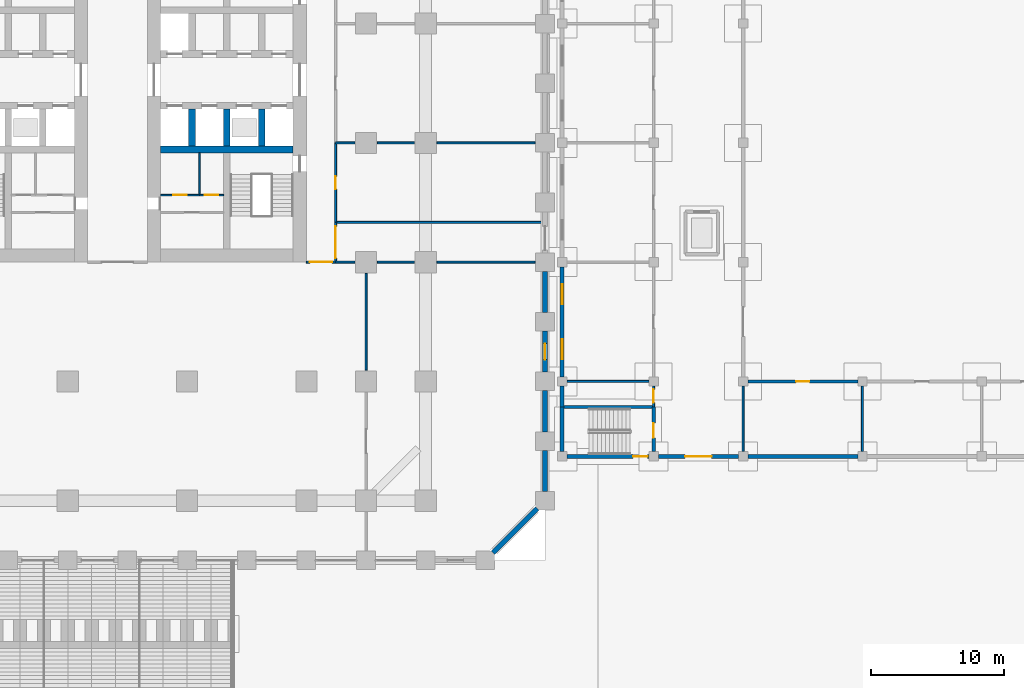
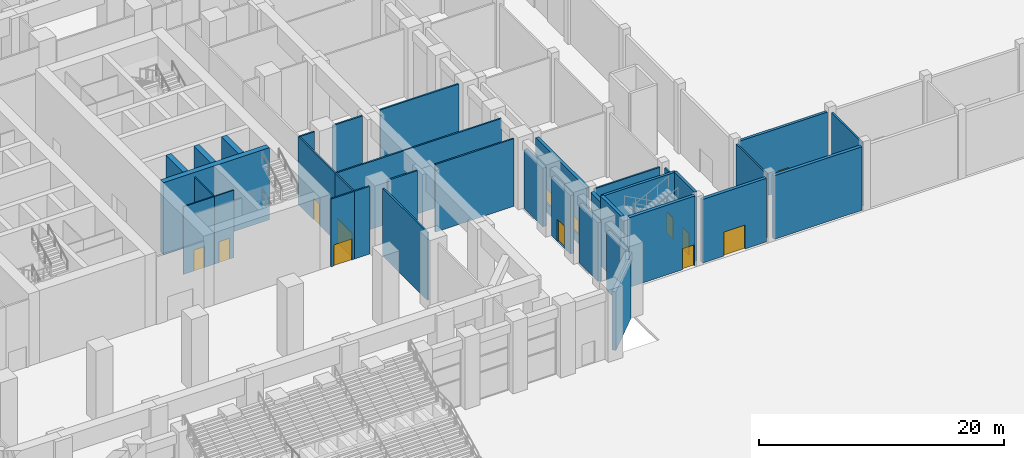
# One storey, part 10 of 30: 36 walls, 11 doors, 2 windows, 13 openings.
"""IFC4 building model written with IfcOpenShell, lengths in metres."""

import ifcopenshell
import ifcopenshell.guid

model = None  # the IFC model being written
_history = None  # IfcOwnerHistory: only IFC2X3 demands one
_inside = {}  # id of a spatial element -> (the spatial element, [elements in it])
_under = {}  # id of a project, library or spatial element -> (it, [spatial elements below it])
_declared = {}  # id of a project -> (the project, [libraries it declares])
_typed = {}  # id of a type object -> (the type object, [elements of that type])
_made_of = {}  # id of a material, layer set ... -> (it, [elements and type objects made of it])


def new_model(schema):
    """Start an empty IFC model of exactly this schema.

    Asked for "IFC4X3", IfcOpenShell would pick the latest addendum, in which some entities
    have other attributes; the version numbers below select the first issue.
    IFC2X3 requires an IfcOwnerHistory on every rooted entity: one is made here for all.
    """
    global model, _history
    if schema == "IFC4X3":
        model = ifcopenshell.file(schema_version=(4, 3, 0, 0))
    else:
        model = ifcopenshell.file(schema=schema)
    _inside.clear()
    _under.clear()
    _declared.clear()
    _typed.clear()
    _made_of.clear()
    _history = None
    if model.schema == "IFC2X3":
        org = make("IfcOrganization", Name="unknown")
        user = make(
            "IfcPersonAndOrganization",
            ThePerson=make("IfcPerson", FamilyName="unknown"),
            TheOrganization=org,
        )
        app = make(
            "IfcApplication",
            ApplicationDeveloper=org,
            Version="unknown",
            ApplicationFullName="unknown",
            ApplicationIdentifier="unknown",
        )
        _history = make(
            "IfcOwnerHistory",
            OwningUser=user,
            OwningApplication=app,
            ChangeAction="ADDED",
            CreationDate=0,
        )
    return model


def make(cls, **values):
    """One entity of the class cls with the attributes given. An attribute that is None is left unset."""
    return model.create_entity(
        cls, **{name: value for name, value in values.items() if value is not None}
    )


def rooted(cls, **values):
    """An entity with a GlobalId (a new one), such as an element, a storey or a relation."""
    return make(cls, GlobalId=ifcopenshell.guid.new(), OwnerHistory=_history, **values)


def si_unit(unit_type, name, prefix=None):
    """IfcSIUnit, for example si_unit("LENGTHUNIT", "METRE", prefix="MILLI")."""
    return make("IfcSIUnit", UnitType=unit_type, Prefix=prefix, Name=name)


def assignment(units):
    """IfcUnitAssignment: the units of a project."""
    return None if units is None else make("IfcUnitAssignment", Units=units)


def point(xyz):
    """IfcCartesianPoint."""
    return None if xyz is None else make("IfcCartesianPoint", Coordinates=xyz)


def direction(xyz):
    """IfcDirection."""
    return None if xyz is None else make("IfcDirection", DirectionRatios=xyz)


def frame(location, z_axis=None, x_axis=None):
    """IfcAxis2Placement3D, a coordinate frame: its origin and axes. An axis left out is left unset."""
    return make(
        "IfcAxis2Placement3D",
        Location=point(location),
        Axis=direction(z_axis),
        RefDirection=direction(x_axis),
    )


def frame_2d(location, x_axis=None):
    """IfcAxis2Placement2D, a coordinate frame in the plane: its origin and x axis."""
    return make(
        "IfcAxis2Placement2D", Location=point(location), RefDirection=direction(x_axis)
    )


def origin():
    """The frame at (0, 0, 0) with its axes left unset."""
    return frame((0.0, 0.0, 0.0))


def place(relative_to, where):
    """IfcLocalPlacement: puts the frame where relative to a parent placement (None: the world)."""
    return make(
        "IfcLocalPlacement", PlacementRelTo=relative_to, RelativePlacement=where
    )


def context(
    kind, dimensions, precision=None, world=None, true_north=None, identifier=None
):
    """IfcGeometricRepresentationContext, for example the 3D "Model" context."""
    return make(
        "IfcGeometricRepresentationContext",
        ContextIdentifier=identifier,
        ContextType=kind,
        CoordinateSpaceDimension=dimensions,
        Precision=precision,
        WorldCoordinateSystem=world,
        TrueNorth=true_north,
    )


def subcontext(parent, identifier, kind, view, scale=None):
    """IfcGeometricRepresentationSubContext, for example "Body" below "Model"."""
    return make(
        "IfcGeometricRepresentationSubContext",
        ContextIdentifier=identifier,
        ContextType=kind,
        ParentContext=parent,
        TargetScale=scale,
        TargetView=view,
    )


def project(units=None, contexts=None):
    """IfcProject with its units and contexts."""
    return rooted(
        "IfcProject",
        Name="project",
        RepresentationContexts=contexts,
        UnitsInContext=assignment(units),
    )


def spatial(cls, under=None, at=None, **own):
    """A site, building, storey or space (cls), placed at a placement, below another one or the project."""
    s = rooted(cls, ObjectPlacement=at, **own)
    if under is not None:
        _under.setdefault(under.id(), (under, []))[1].append(s)
    return s


def profile(cls, at=None, kind="AREA", **sizes):
    """A parametric profile (cls). Its sizes go by their IFC names, for example OverallWidth=200.0."""
    return make(cls, ProfileType=kind, Position=at, **sizes)


def rectangle(**sizes):
    """IfcRectangleProfileDef."""
    return profile("IfcRectangleProfileDef", **sizes)


def extrude(swept, where, along, depth):
    """IfcExtrudedAreaSolid: the profile swept, set in the frame where, extruded along a direction by depth."""
    return make(
        "IfcExtrudedAreaSolid",
        SweptArea=swept,
        Position=where,
        ExtrudedDirection=direction(along),
        Depth=depth,
    )


def shape(context_of_items, identifier, shape_type, items):
    """IfcShapeRepresentation: the items that make up one representation, for example the "Body"."""
    return make(
        "IfcShapeRepresentation",
        ContextOfItems=context_of_items,
        RepresentationIdentifier=identifier,
        RepresentationType=shape_type,
        Items=items,
    )


def material(Name=None, Category=None):
    """IfcMaterial."""
    return make("IfcMaterial", Name=Name, Category=Category)


def layer(
    of_material, thickness, ventilated=None, Name=None, Category=None, Priority=None
):
    """IfcMaterialLayer: one layer of a wall or slab, of a material (None: an air gap)."""
    return make(
        "IfcMaterialLayer",
        Material=of_material,
        LayerThickness=thickness,
        IsVentilated=ventilated,
        Name=Name,
        Category=Category,
        Priority=Priority,
    )


def layer_set(layers, Name=None):
    """IfcMaterialLayerSet."""
    return make("IfcMaterialLayerSet", MaterialLayers=layers, LayerSetName=Name)


def made_of(thing, what):
    """Note that an element or type object is made of a material, layer set ...; save() writes the relation."""
    if what is not None:
        _made_of.setdefault(what.id(), (what, []))[1].append(thing)
    return thing


def type_object(cls, material=None, **own):
    """A type object (cls), such as IfcWallType, which elements share."""
    return made_of(rooted(cls, **own), material)


def element(
    cls,
    number,
    at=None,
    inside=None,
    cuts=None,
    type_object=None,
    material=None,
    context=None,
    identifier="Body",
    shape_type=None,
    held_by="IfcProductDefinitionShape",
    body=None,
    shapes=None,
    **own,
):
    """One element of the class cls, such as IfcWall. Its Tag is "e" and its number.

    at: its placement. inside: the storey or other place that contains it. cuts: it is an
    opening in that element (IfcRelVoidsElement). A single representation is given by context,
    identifier, shape_type and body (its items); several are given by shapes. held_by: the class
    of the entity that holds the representations. save() writes the other relations.
    """
    e = rooted(cls, Tag="e%d" % number, ObjectPlacement=at, **own)
    if body is not None:
        shapes = [shape(context, identifier, shape_type, body)]
    if shapes is not None:
        e.Representation = make(held_by, Representations=shapes)
    if inside is not None:
        _inside.setdefault(inside.id(), (inside, []))[1].append(e)
    if cuts is not None:
        rooted(
            "IfcRelVoidsElement", RelatingBuildingElement=cuts, RelatedOpeningElement=e
        )
    if type_object is not None:
        _typed.setdefault(type_object.id(), (type_object, []))[1].append(e)
    return made_of(e, material)


def fill(opening, filler):
    """IfcRelFillsElement: the door or window that sits in an opening."""
    return rooted(
        "IfcRelFillsElement",
        RelatingOpeningElement=opening,
        RelatedBuildingElement=filler,
    )


def aggregate(whole, parts):
    """IfcRelAggregates: a whole, such as a stair, and the parts it consists of."""
    return rooted("IfcRelAggregates", RelatingObject=whole, RelatedObjects=parts)


def save(model, path):
    """Write the relations noted so far, then the file.

    IfcRelAggregates (storeys below a building ...), IfcRelContainedInSpatialStructure (elements
    in a storey), IfcRelDefinesByType, IfcRelAssociatesMaterial and IfcRelDeclares: one each for
    every whole, place, type object, material and project.
    """
    for whole, parts in _under.values():
        aggregate(whole, parts)
    for where, things in _inside.values():
        rooted(
            "IfcRelContainedInSpatialStructure",
            RelatedElements=things,
            RelatingStructure=where,
        )
    for kind, things in _typed.values():
        rooted("IfcRelDefinesByType", RelatedObjects=things, RelatingType=kind)
    for what, things in _made_of.values():
        rooted("IfcRelAssociatesMaterial", RelatedObjects=things, RelatingMaterial=what)
    for by, libraries in _declared.values():
        rooted("IfcRelDeclares", RelatingContext=by, RelatedDefinitions=libraries)
    model.write(path)


model = new_model("IFC4")

# Units and contexts
model_context = context("Model", 3, precision=1e-05, world=origin(), true_north=direction((0.0, 1.0)))
body_context = subcontext(model_context, "Body", "Model", "MODEL_VIEW")
ifc_project = project(units=[si_unit("LENGTHUNIT", "METRE"), si_unit("AREAUNIT", "SQUARE_METRE"), si_unit("VOLUMEUNIT", "CUBIC_METRE"), si_unit("PLANEANGLEUNIT", "RADIAN"), si_unit("MASSUNIT", "GRAM", prefix="KILO")], contexts=[model_context])

# Site, building, storey
site_placement = place(None, origin())
site = spatial("IfcSite", under=ifc_project, at=site_placement, CompositionType="ELEMENT")
building_placement = place(site_placement, origin())
building = spatial("IfcBuilding", under=site, at=building_placement, Name="Corbel Stack Research Tower", CompositionType="ELEMENT")
storey_placement = place(building_placement, origin())
storey = spatial("IfcBuildingStorey", under=building, at=storey_placement, Name="L00", CompositionType="ELEMENT", Elevation=0.0)

# Wall
ifc_material_1 = material(Name="Concrete block", Category="concrete")
ifc_layer_1 = layer(ifc_material_1, 0.14990234375)
ifc_layer_set_1 = layer_set([ifc_layer_1], Name="Concrete block")
wall_type_1 = type_object("IfcWallType", Name="Base partition 150 L00", PredefinedType="PARTITIONING", material=ifc_layer_set_1)
wall_1_placement = place(storey_placement, frame((22.5, -17.14990234375, 0.0), z_axis=(0.0, 0.0, 1.0), x_axis=(0.0, 1.0, 0.0)))
element("IfcWall", 1, at=wall_1_placement, inside=storey, type_object=wall_type_1, Name="Partition L00", PredefinedType="PARTITIONING", context=body_context, shape_type="SweptSolid", body=[
    extrude(rectangle(XDim=7.2998046875, YDim=0.14990234375, at=frame_2d((3.64990234375, 0.0))), origin(), (0.0, 0.0, 1.0), 6.75),
])

# Wall, opening, door
wall_2_placement = place(storey_placement, frame((18.0, -9.0, 0.0), z_axis=(0.0, 0.0, 1.0), x_axis=(1.0, 0.0, 0.0)))
wall_2 = element("IfcWall", 2, at=wall_2_placement, inside=storey, type_object=wall_type_1, Name="Partition L00", PredefinedType="PARTITIONING", context=body_context, shape_type="SweptSolid", body=[
    extrude(rectangle(XDim=2.199951171875, YDim=0.14990234375, at=frame_2d((1.10009765625, 0.0))), origin(), (0.0, 0.0, 1.0), 6.75),
])
opening_1_placement = place(wall_2_placement, frame((0.25, 0.0, 0.0)))
opening_1 = element("IfcOpeningElement", 3, at=opening_1_placement, cuts=wall_2, Name="Opening BD-L00-16", PredefinedType="OPENING", context=body_context, shape_type="SweptSolid", body=[
    extrude(rectangle(XDim=1.699951171875, YDim=2.10009765625, at=frame_2d((0.85009765625, 1.050048828125))), frame((0.0, 0.0849609375, 0.0), z_axis=(0.0, -1.0, 0.0), x_axis=(1.0, 0.0, 0.0)), (0.0, 0.0, 1.0), 0.169921875),
])
ifc_material_2 = material(Name="Painted steel fire door", Category="steel")
door_type_1 = type_object("IfcDoorType", Name="Lobby door pair 1700 x 2100 FD30S", OperationType="DOUBLE_DOOR_DOUBLE_SWING", PredefinedType="DOOR", material=ifc_material_2)
door_1_placement = place(opening_1_placement, origin())
door_1 = element("IfcDoor", 4, at=door_1_placement, inside=storey, type_object=door_type_1, Name="Main lobby and reception to Stair vestibule east opening", OperationType="DOUBLE_DOOR_DOUBLE_SWING", OverallHeight=2.10009765625, OverallWidth=1.699951171875, PredefinedType="DOOR", context=body_context, shape_type="SweptSolid", body=[
    extrude(rectangle(XDim=1.699951171875, YDim=2.10009765625, at=frame_2d((0.85009765625, 1.050048828125))), frame((0.0, 0.02490234375, 0.0), z_axis=(0.0, -1.0, 0.0), x_axis=(1.0, 0.0, 0.0)), (0.0, 0.0, 1.0), 0.050048828125),
])
fill(opening_1, door_1)

# Walls
wall_3_placement = place(storey_placement, frame((20.199951171875, -9.0, 0.0), z_axis=(0.0, 0.0, 1.0), x_axis=(1.0, 0.0, 0.0)))
element("IfcWall", 5, at=wall_3_placement, inside=storey, type_object=wall_type_1, Name="Partition L00", PredefinedType="PARTITIONING", context=body_context, shape_type="SweptSolid", body=[
    extrude(rectangle(XDim=1.449951171875, YDim=0.14990234375, at=frame_2d((0.72509765625, 0.0))), origin(), (0.0, 0.0, 1.0), 6.75),
])
wall_4_placement = place(storey_placement, frame((27.85009765625, -9.0, 0.0), z_axis=(0.0, 0.0, 1.0), x_axis=(1.0, 0.0, 0.0)))
element("IfcWall", 6, at=wall_4_placement, inside=storey, type_object=wall_type_1, Name="Partition L00", PredefinedType="PARTITIONING", context=body_context, shape_type="SweptSolid", body=[
    extrude(rectangle(XDim=7.39990234375, YDim=0.14990234375, at=frame_2d((3.699951171875, 0.0))), origin(), (0.0, 0.0, 1.0), 6.75),
])
wall_5_placement = place(storey_placement, frame((23.35009765625, -9.0, 0.0), z_axis=(0.0, 0.0, 1.0), x_axis=(1.0, 0.0, 0.0)))
element("IfcWall", 7, at=wall_5_placement, inside=storey, type_object=wall_type_1, Name="Partition L00", PredefinedType="PARTITIONING", context=body_context, shape_type="SweptSolid", body=[
    extrude(rectangle(XDim=2.7998046875, YDim=0.14990234375, at=frame_2d((1.39990234375, 0.0))), origin(), (0.0, 0.0, 1.0), 6.75),
])

# Wall, opening, door
wall_6_placement = place(storey_placement, frame((20.199951171875, -9.0, 0.0), z_axis=(0.0, 0.0, 1.0), x_axis=(0.0, 1.0, 0.0)))
wall_6 = element("IfcWall", 8, at=wall_6_placement, inside=storey, type_object=wall_type_1, Name="Partition L00", PredefinedType="PARTITIONING", context=body_context, shape_type="SweptSolid", body=[
    extrude(rectangle(XDim=3.0, YDim=0.14990234375, at=frame_2d((1.5, 0.0))), origin(), (0.0, 0.0, 1.0), 6.75),
])
opening_2_placement = place(wall_6_placement, frame((0.300048828125, 0.0, 0.0)))
opening_2 = element("IfcOpeningElement", 9, at=opening_2_placement, cuts=wall_6, Name="Opening BD-L00-21", PredefinedType="OPENING", context=body_context, shape_type="SweptSolid", body=[
    extrude(rectangle(XDim=2.39990234375, YDim=2.39990234375, at=frame_2d((1.199951171875, 1.199951171875))), frame((0.0, 0.0849609375, 0.0), z_axis=(0.0, -1.0, 0.0), x_axis=(1.0, 0.0, 0.0)), (0.0, 0.0, 1.0), 0.169921875),
])
ifc_material_3 = material(Name="Painted steel fire door", Category="steel")
door_type_2 = type_object("IfcDoorType", Name="Lobby door pair 2400 x 2400 FD60", OperationType="DOUBLE_DOOR_DOUBLE_SWING", PredefinedType="DOOR", material=ifc_material_3)
door_2_placement = place(opening_2_placement, origin())
door_2 = element("IfcDoor", 10, at=door_2_placement, inside=storey, type_object=door_type_2, Name="Stair vestibule east to Exit passage ST-E1 opening", OperationType="DOUBLE_DOOR_DOUBLE_SWING", OverallHeight=2.39990234375, OverallWidth=2.39990234375, PredefinedType="DOOR", context=body_context, shape_type="SweptSolid", body=[
    extrude(rectangle(XDim=2.39990234375, YDim=2.39990234375, at=frame_2d((1.199951171875, 1.199951171875))), frame((0.0, 0.02490234375, 0.0), z_axis=(0.0, -1.0, 0.0), x_axis=(1.0, 0.0, 0.0)), (0.0, 0.0, 1.0), 0.050048828125),
])
fill(opening_2, door_2)

wall_7_placement = place(storey_placement, frame((20.199951171875, -6.0, 0.0), z_axis=(0.0, 0.0, 1.0), x_axis=(0.0, 1.0, 0.0)))
wall_7 = element("IfcWall", 11, at=wall_7_placement, inside=storey, type_object=wall_type_1, Name="Partition L00", PredefinedType="PARTITIONING", context=body_context, shape_type="SweptSolid", body=[
    extrude(rectangle(XDim=6.0, YDim=0.14990234375, at=frame_2d((3.0, 0.0))), origin(), (0.0, 0.0, 1.0), 6.75),
])
opening_3_placement = place(wall_7_placement, frame((2.5, 0.0, 0.0)))
opening_3 = element("IfcOpeningElement", 12, at=opening_3_placement, cuts=wall_7, Name="Opening BD-L00-07", PredefinedType="OPENING", context=body_context, shape_type="SweptSolid", body=[
    extrude(rectangle(XDim=1.0, YDim=2.10009765625, at=frame_2d((0.5, 1.050048828125))), frame((0.0, 0.0849609375, 0.0), z_axis=(0.0, -1.0, 0.0), x_axis=(1.0, 0.0, 0.0)), (0.0, 0.0, 1.0), 0.169921875),
])
ifc_material_4 = material(Name="Painted steel door", Category="steel")
door_type_3 = type_object("IfcDoorType", Name="Service door 1000 x 2100 FD60 left hand", OperationType="SINGLE_SWING_LEFT", PredefinedType="DOOR", material=ifc_material_4)
door_3_placement = place(opening_3_placement, origin())
door_3 = element("IfcDoor", 13, at=door_3_placement, inside=storey, type_object=door_type_3, Name="Fire command centre door", OperationType="SINGLE_SWING_LEFT", OverallHeight=2.10009765625, OverallWidth=1.0, PredefinedType="DOOR", context=body_context, shape_type="SweptSolid", body=[
    extrude(rectangle(XDim=1.0, YDim=2.10009765625, at=frame_2d((0.5, 1.050048828125))), frame((0.0, 0.02490234375, 0.0), z_axis=(0.0, -1.0, 0.0), x_axis=(1.0, 0.0, 0.0)), (0.0, 0.0, 1.0), 0.050048828125),
])
fill(opening_3, door_3)

# Walls
wall_8_placement = place(storey_placement, frame((20.199951171875, -6.0, 0.0), z_axis=(0.0, 0.0, 1.0), x_axis=(1.0, 0.0, 0.0)))
element("IfcWall", 14, at=wall_8_placement, inside=storey, type_object=wall_type_1, Name="Partition L00", PredefinedType="PARTITIONING", context=body_context, shape_type="SweptSolid", body=[
    extrude(rectangle(XDim=15.625, YDim=0.14990234375, at=frame_2d((7.8125, 0.0))), origin(), (0.0, 0.0, 1.0), 6.75),
])
wall_9_placement = place(storey_placement, frame((27.85009765625, 0.0, 0.0), z_axis=(0.0, 0.0, 1.0), x_axis=(1.0, 0.0, 0.0)))
element("IfcWall", 15, at=wall_9_placement, inside=storey, type_object=wall_type_1, Name="Partition L00", PredefinedType="PARTITIONING", context=body_context, shape_type="SweptSolid", body=[
    extrude(rectangle(XDim=7.39990234375, YDim=0.14990234375, at=frame_2d((3.699951171875, 0.0))), origin(), (0.0, 0.0, 1.0), 6.75),
])
wall_10_placement = place(storey_placement, frame((23.35009765625, 0.0, 0.0), z_axis=(0.0, 0.0, 1.0), x_axis=(1.0, 0.0, 0.0)))
element("IfcWall", 16, at=wall_10_placement, inside=storey, type_object=wall_type_1, Name="Partition L00", PredefinedType="PARTITIONING", context=body_context, shape_type="SweptSolid", body=[
    extrude(rectangle(XDim=2.7998046875, YDim=0.14990234375, at=frame_2d((1.39990234375, 0.0))), origin(), (0.0, 0.0, 1.0), 6.75),
])
wall_11_placement = place(storey_placement, frame((20.199951171875, 0.0, 0.0), z_axis=(0.0, 0.0, 1.0), x_axis=(1.0, 0.0, 0.0)))
element("IfcWall", 17, at=wall_11_placement, inside=storey, type_object=wall_type_1, Name="Partition L00", PredefinedType="PARTITIONING", context=body_context, shape_type="SweptSolid", body=[
    extrude(rectangle(XDim=1.449951171875, YDim=0.14990234375, at=frame_2d((0.72509765625, 0.0))), origin(), (0.0, 0.0, 1.0), 6.75),
])
ifc_material_5 = material(Name="Concrete C45/55", Category="concrete")
ifc_layer_2 = layer(ifc_material_5, 0.35009765625)
ifc_layer_set_2 = layer_set([ifc_layer_2], Name="Concrete C45/55")
wall_type_2 = type_object("IfcWallType", Name="Board-marked concrete wall 350", PredefinedType="SOLIDWALL", material=ifc_layer_set_2)
wall_12_placement = place(storey_placement, frame((35.423583984375, -27.576416015625, 0.0), z_axis=(0.0, 0.0, 1.0), x_axis=(-0.707106781187, -0.707106781187, 0.0)))
element("IfcWall", 18, at=wall_12_placement, inside=storey, type_object=wall_type_2, Name="Facade wall L00 SE01", PredefinedType="SOLIDWALL", context=body_context, shape_type="SweptSolid", body=[
    extrude(rectangle(XDim=4.733642578125, YDim=0.35009765625, at=frame_2d((2.36669921875, 0.0))), origin(), (0.0, 0.0, 1.0), 5.85009765625),
])
for number, where, z_axis, x_axis, name in (
    (19, (36.0, -23.199951171875, 0.0), (0.0, 0.0, 1.0), (0.0, -1.0, 0.0), "Facade wall L00 E01"),
    (20, (36.0, -18.699951171875, 0.0), (0.0, 0.0, 1.0), (0.0, -1.0, 0.0), "Facade wall L00 E02"),
):
    element("IfcWall", number, at=place(storey_placement, frame(where, z_axis=z_axis, x_axis=x_axis)), inside=storey, type_object=wall_type_2, Name=name, PredefinedType="SOLIDWALL", context=body_context, shape_type="SweptSolid", body=[
        extrude(rectangle(XDim=3.10009765625, YDim=0.35009765625, at=frame_2d((1.550048828125, 0.0))), origin(), (0.0, 0.0, 1.0), 5.85009765625),
    ])

# Wall, opening, door
wall_13_placement = place(storey_placement, frame((36.0, -14.199951171875, 0.0), z_axis=(0.0, 0.0, 1.0), x_axis=(0.0, -1.0, 0.0)))
wall_13 = element("IfcWall", 21, at=wall_13_placement, inside=storey, type_object=wall_type_2, Name="Facade wall L00 E03", PredefinedType="SOLIDWALL", context=body_context, shape_type="SweptSolid", body=[
    extrude(rectangle(XDim=3.10009765625, YDim=0.35009765625, at=frame_2d((1.550048828125, 0.0))), origin(), (0.0, 0.0, 1.0), 5.85009765625),
])
opening_4_placement = place(wall_13_placement, frame((0.949951171875, 0.0, 0.0)))
opening_4 = element("IfcOpeningElement", 22, at=opening_4_placement, cuts=wall_13, Name="Opening EX-3", PredefinedType="OPENING", context=body_context, shape_type="SweptSolid", body=[
    extrude(rectangle(XDim=1.199951171875, YDim=2.199951171875, at=frame_2d((0.60009765625, 1.10009765625))), frame((0.0, 0.18505859375, 0.0), z_axis=(0.0, -1.0, 0.0), x_axis=(1.0, 0.0, 0.0)), (0.0, 0.0, 1.0), 0.3701171875),
])
ifc_material_6 = material(Name="Steel door leaf, painted", Category="steel")
door_type_4 = type_object("IfcDoorType", Name="Exit door EX 1200 x 2200", OperationType="NOTDEFINED", PredefinedType="DOOR", material=ifc_material_6)
door_4_placement = place(opening_4_placement, origin())
door_4 = element("IfcDoor", 23, at=door_4_placement, inside=storey, type_object=door_type_4, Name="Exit door EX-3", OperationType="SINGLE_SWING_LEFT", OverallHeight=2.199951171875, OverallWidth=1.199951171875, PredefinedType="DOOR", context=body_context, shape_type="SweptSolid", body=[
    extrude(rectangle(XDim=1.199951171875, YDim=2.199951171875, at=frame_2d((0.60009765625, 1.10009765625))), frame((0.0, 0.02490234375, 0.0), z_axis=(0.0, -1.0, 0.0), x_axis=(1.0, 0.0, 0.0)), (0.0, 0.0, 1.0), 0.050048828125),
])
fill(opening_4, door_4)

# Walls
wall_14_placement = place(storey_placement, frame((36.0, -9.699951171875, 0.0), z_axis=(0.0, 0.0, 1.0), x_axis=(0.0, -1.0, 0.0)))
element("IfcWall", 24, at=wall_14_placement, inside=storey, type_object=wall_type_2, Name="Facade wall L00 E04", PredefinedType="SOLIDWALL", context=body_context, shape_type="SweptSolid", body=[
    extrude(rectangle(XDim=3.10009765625, YDim=0.35009765625, at=frame_2d((1.550048828125, 0.0))), origin(), (0.0, 0.0, 1.0), 5.85009765625),
])
ifc_material_7 = material(Name="Concrete C70/85", Category="concrete")
ifc_layer_3 = layer(ifc_material_7, 0.5)
ifc_layer_set_3 = layer_set([ifc_layer_3], Name="Concrete C70/85")
wall_type_3 = type_object("IfcWallType", Name="CW-500-70", PredefinedType="SHEAR", material=ifc_layer_set_3)
wall_15_placement = place(storey_placement, frame((7.0, -0.5, 0.0), z_axis=(0.0, 0.0, 1.0), x_axis=(1.0, 0.0, 0.0)))
element("IfcWall", 25, at=wall_15_placement, inside=storey, type_object=wall_type_3, Name="East core wall, south row back L00", PredefinedType="SHEAR", context=body_context, shape_type="SweptSolid", body=[
    extrude(rectangle(XDim=10.0, YDim=0.5, at=frame_2d((5.0, 0.0))), origin(), (0.0, 0.0, 1.0), 7.199951171875),
])
for number, where, z_axis, x_axis, name in (
    (26, (9.375, -0.25, 0.0), (0.0, 0.0, 1.0), (0.0, 1.0, 0.0), "East core wall, south shaft 1 L00"),
    (27, (12.0, -0.25, 0.0), (0.0, 0.0, 1.0), (0.0, 1.0, 0.0), "East core wall, south shaft 2 L00"),
    (28, (14.625, -0.25, 0.0), (0.0, 0.0, 1.0), (0.0, 1.0, 0.0), "East core wall, south shaft 3 L00"),
):
    element("IfcWall", number, at=place(storey_placement, frame(where, z_axis=z_axis, x_axis=x_axis)), inside=storey, type_object=wall_type_3, Name=name, PredefinedType="SHEAR", context=body_context, shape_type="SweptSolid", body=[
        extrude(rectangle(XDim=2.800048828125, YDim=0.5, at=frame_2d((1.39990234375, 0.0))), origin(), (0.0, 0.0, 1.0), 7.199951171875),
    ])

# Wall, opening, door
ifc_material_8 = material(Name="Gypsum board")
ifc_layer_4 = layer(ifc_material_8, 0.10009765625)
ifc_layer_set_4 = layer_set([ifc_layer_4], Name="Gypsum board")
wall_type_4 = type_object("IfcWallType", Name="Core partition 100", PredefinedType="PARTITIONING", material=ifc_layer_set_4)
wall_16_placement = place(storey_placement, frame((7.0, -3.93994140625, 0.0), z_axis=(0.0, 0.0, 1.0), x_axis=(1.0, 0.0, 0.0)))
wall_16 = element("IfcWall", 29, at=wall_16_placement, inside=storey, type_object=wall_type_4, Name="Core partition E", PredefinedType="PARTITIONING", context=body_context, shape_type="SweptSolid", body=[
    extrude(rectangle(XDim=2.945068359375, YDim=0.10009765625, at=frame_2d((1.47265625, 0.0))), origin(), (0.0, 0.0, 1.0), 6.75),
])
opening_5_placement = place(wall_16_placement, frame((0.972412109375, 0.0, 0.0)))
opening_5 = element("IfcOpeningElement", 30, at=opening_5_placement, cuts=wall_16, Name="Opening CR-E24-W3-1000", PredefinedType="OPENING", context=body_context, shape_type="SweptSolid", body=[
    extrude(rectangle(XDim=1.0, YDim=2.10009765625, at=frame_2d((0.5, 1.050048828125))), frame((0.0, 0.06005859375, 0.0), z_axis=(0.0, -1.0, 0.0), x_axis=(1.0, 0.0, 0.0)), (0.0, 0.0, 1.0), 0.1201171875),
])
ifc_material_9 = material(Name="Painted timber door", Category="wood")
door_type_5 = type_object("IfcDoorType", Name="WC door 1000 x 2100 right hand", OperationType="SINGLE_SWING_RIGHT", PredefinedType="DOOR", material=ifc_material_9)
door_5_placement = place(opening_5_placement, origin())
door_5 = element("IfcDoor", 31, at=door_5_placement, inside=storey, type_object=door_type_5, Name="Women's WC door E core", OperationType="SINGLE_SWING_RIGHT", OverallHeight=2.10009765625, OverallWidth=1.0, PredefinedType="DOOR", context=body_context, shape_type="SweptSolid", body=[
    extrude(rectangle(XDim=1.0, YDim=2.10009765625, at=frame_2d((0.5, 1.050048828125))), frame((0.0, 0.02490234375, 0.0), z_axis=(0.0, -1.0, 0.0), x_axis=(1.0, 0.0, 0.0)), (0.0, 0.0, 1.0), 0.050048828125),
])
fill(opening_5, door_5)

wall_17_placement = place(storey_placement, frame((9.945068359375, -3.93994140625, 0.0), z_axis=(0.0, 0.0, 1.0), x_axis=(1.0, 0.0, 0.0)))
wall_17 = element("IfcWall", 32, at=wall_17_placement, inside=storey, type_object=wall_type_4, Name="Core partition E", PredefinedType="PARTITIONING", context=body_context, shape_type="SweptSolid", body=[
    extrude(rectangle(XDim=1.804931640625, YDim=0.10009765625, at=frame_2d((0.90234375, 0.0))), origin(), (0.0, 0.0, 1.0), 6.75),
])
opening_6_placement = place(wall_17_placement, frame((0.402587890625, 0.0, 0.0)))
opening_6 = element("IfcOpeningElement", 33, at=opening_6_placement, cuts=wall_17, Name="Opening CR-E24-W4-1000", PredefinedType="OPENING", context=body_context, shape_type="SweptSolid", body=[
    extrude(rectangle(XDim=1.0, YDim=2.10009765625, at=frame_2d((0.5, 1.050048828125))), frame((0.0, 0.06005859375, 0.0), z_axis=(0.0, -1.0, 0.0), x_axis=(1.0, 0.0, 0.0)), (0.0, 0.0, 1.0), 0.1201171875),
])
ifc_material_10 = material(Name="Painted timber door", Category="wood")
door_type_6 = type_object("IfcDoorType", Name="WC door 1000 x 2100 left hand", OperationType="SINGLE_SWING_LEFT", PredefinedType="DOOR", material=ifc_material_10)
door_6_placement = place(opening_6_placement, origin())
door_6 = element("IfcDoor", 34, at=door_6_placement, inside=storey, type_object=door_type_6, Name="Accessible WC door E core", OperationType="SINGLE_SWING_LEFT", OverallHeight=2.10009765625, OverallWidth=1.0, PredefinedType="DOOR", context=body_context, shape_type="SweptSolid", body=[
    extrude(rectangle(XDim=1.0, YDim=2.10009765625, at=frame_2d((0.5, 1.050048828125))), frame((0.0, 0.02490234375, 0.0), z_axis=(0.0, -1.0, 0.0), x_axis=(1.0, 0.0, 0.0)), (0.0, 0.0, 1.0), 0.050048828125),
])
fill(opening_6, door_6)

# Wall
wall_18_placement = place(storey_placement, frame((9.945068359375, -3.93994140625, 0.0), z_axis=(0.0, 0.0, 1.0), x_axis=(0.0, 1.0, 0.0)))
element("IfcWall", 35, at=wall_18_placement, inside=storey, type_object=wall_type_4, Name="Core partition E", PredefinedType="PARTITIONING", context=body_context, shape_type="SweptSolid", body=[
    extrude(rectangle(XDim=3.18994140625, YDim=0.10009765625, at=frame_2d((1.594970703125, 0.0))), origin(), (0.0, 0.0, 1.0), 6.75),
])

# Wall, opening, door
ifc_material_11 = material(Name="Concrete C40/50", Category="concrete")
ifc_layer_5 = layer(ifc_material_11, 0.300048828125)
ifc_layer_set_5 = layer_set([ifc_layer_5], Name="Concrete C40/50")
wall_type_5 = type_object("IfcWallType", Name="HW1 exterior wall 300", PredefinedType="SOLIDWALL", material=ifc_layer_set_5)
wall_19_placement = place(storey_placement, frame((50.60009765625, -23.64990234375, 0.0), z_axis=(0.0, 0.0, 1.0), x_axis=(-1.0, 0.0, 0.0)))
wall_19 = element("IfcWall", 36, at=wall_19_placement, inside=storey, type_object=wall_type_5, Name="Exterior wall L00 h-23.65/44.6", PredefinedType="SOLIDWALL", context=body_context, shape_type="SweptSolid", body=[
    extrude(rectangle(XDim=6.050048828125, YDim=0.300048828125, at=frame_2d((3.02490234375, 0.0))), origin(), (0.0, 0.0, 1.0), 6.35009765625),
])
opening_7_placement = place(wall_19_placement, frame((2.02490234375, 0.0, 0.0)))
opening_7 = element("IfcOpeningElement", 37, at=opening_7_placement, cuts=wall_19, Name="Opening H0-02", PredefinedType="OPENING", context=body_context, shape_type="SweptSolid", body=[
    extrude(rectangle(XDim=2.0, YDim=2.39990234375, at=frame_2d((1.0, 1.199951171875))), frame((0.0, 0.159912109375, 0.0), z_axis=(0.0, -1.0, 0.0), x_axis=(1.0, 0.0, 0.0)), (0.0, 0.0, 1.0), 0.320068359375),
])
ifc_material_12 = material(Name="Glass and aluminium", Category="aluminium")
door_type_7 = type_object("IfcDoorType", Name="HD3 entrance door pair 2000 x 2400", OperationType="DOUBLE_DOOR_SINGLE_SWING", PredefinedType="DOOR", material=ifc_material_12)
door_7_placement = place(opening_7_placement, origin())
door_7 = element("IfcDoor", 38, at=door_7_placement, inside=storey, type_object=door_type_7, Name="Door H0-02", OperationType="DOUBLE_DOOR_SINGLE_SWING", OverallHeight=2.39990234375, OverallWidth=2.0, PredefinedType="DOOR", context=body_context, shape_type="SweptSolid", body=[
    extrude(rectangle(XDim=2.0, YDim=2.39990234375, at=frame_2d((1.0, 1.199951171875))), frame((0.0, 0.02490234375, 0.0), z_axis=(0.0, -1.0, 0.0), x_axis=(1.0, 0.0, 0.0)), (0.0, 0.0, 1.0), 0.050048828125),
])
fill(opening_7, door_7)

# Walls
wall_20_placement = place(storey_placement, frame((51.300048828125, -23.64990234375, 0.0), z_axis=(0.0, 0.0, 1.0), x_axis=(1.0, 0.0, 0.0)))
element("IfcWall", 39, at=wall_20_placement, inside=storey, type_object=wall_type_5, Name="Exterior wall L00 h-23.65/51.3", PredefinedType="SOLIDWALL", context=body_context, shape_type="SweptSolid", body=[
    extrude(rectangle(XDim=8.300048828125, YDim=0.300048828125, at=frame_2d((4.14990234375, 0.0))), origin(), (0.0, 0.0, 1.0), 6.35009765625),
])
wall_21_placement = place(storey_placement, frame((37.300048828125, -19.925048828125, 0.0), z_axis=(0.0, 0.0, 1.0), x_axis=(0.0, 1.0, 0.0)))
element("IfcWall", 40, at=wall_21_placement, inside=storey, type_object=wall_type_5, Name="Exterior wall L00 v37.30/-19.9", PredefinedType="SOLIDWALL", context=body_context, shape_type="SweptSolid", body=[
    extrude(rectangle(XDim=1.574951171875, YDim=0.300048828125, at=frame_2d((0.78759765625, 0.0))), origin(), (0.0, 0.0, 1.0), 6.35009765625),
])

# Wall, openings, windows
wall_22_placement = place(storey_placement, frame((37.300048828125, -17.64990234375, 0.0), z_axis=(0.0, 0.0, 1.0), x_axis=(0.0, 1.0, 0.0)))
wall_22 = element("IfcWall", 41, at=wall_22_placement, inside=storey, type_object=wall_type_5, Name="Exterior wall L00 v37.30/-17.6", PredefinedType="SOLIDWALL", context=body_context, shape_type="SweptSolid", body=[
    extrude(rectangle(XDim=8.2998046875, YDim=0.300048828125, at=frame_2d((4.14990234375, 0.0))), origin(), (0.0, 0.0, 1.0), 6.35009765625),
])
opening_8_placement = place(wall_22_placement, frame((1.324951171875, 0.0, 0.89990234375)))
opening_8 = element("IfcOpeningElement", 42, at=opening_8_placement, cuts=wall_22, Name="Opening HX1", PredefinedType="OPENING", context=body_context, shape_type="SweptSolid", body=[
    extrude(rectangle(XDim=1.5, YDim=1.39990234375, at=frame_2d((0.75, 0.699951171875))), frame((0.0, 0.159912109375, 0.0), z_axis=(0.0, -1.0, 0.0), x_axis=(1.0, 0.0, 0.0)), (0.0, 0.0, 1.0), 0.320068359375),
])
opening_9_placement = place(wall_22_placement, frame((5.47509765625, 0.0, 0.89990234375)))
opening_9 = element("IfcOpeningElement", 43, at=opening_9_placement, cuts=wall_22, Name="Opening HX1", PredefinedType="OPENING", context=body_context, shape_type="SweptSolid", body=[
    extrude(rectangle(XDim=1.5, YDim=1.39990234375, at=frame_2d((0.75, 0.699951171875))), frame((0.0, 0.159912109375, 0.0), z_axis=(0.0, -1.0, 0.0), x_axis=(1.0, 0.0, 0.0)), (0.0, 0.0, 1.0), 0.320068359375),
])
ifc_material_13 = material(Name="Glass and aluminium", Category="aluminium")
window_type = type_object("IfcWindowType", Name="HW6 window 1500 x 1400", PartitioningType="SINGLE_PANEL", PredefinedType="WINDOW", material=ifc_material_13)
window_1_placement = place(opening_8_placement, origin())
window_1 = element("IfcWindow", 44, at=window_1_placement, inside=storey, type_object=window_type, Name="Window L00 Ticket office", OverallHeight=1.39990234375, OverallWidth=1.5, PartitioningType="SINGLE_PANEL", PredefinedType="WINDOW", context=body_context, shape_type="SweptSolid", body=[
    extrude(rectangle(XDim=1.5, YDim=1.39990234375, at=frame_2d((0.75, 0.699951171875))), frame((0.0, 0.030029296875, 0.0), z_axis=(0.0, -1.0, 0.0), x_axis=(1.0, 0.0, 0.0)), (0.0, 0.0, 1.0), 0.06005859375),
])
fill(opening_8, window_1)
window_2_placement = place(opening_9_placement, origin())
window_2 = element("IfcWindow", 45, at=window_2_placement, inside=storey, type_object=window_type, Name="Window L00 Ticket office", OverallHeight=1.39990234375, OverallWidth=1.5, PartitioningType="SINGLE_PANEL", PredefinedType="WINDOW", context=body_context, shape_type="SweptSolid", body=[
    extrude(rectangle(XDim=1.5, YDim=1.39990234375, at=frame_2d((0.75, 0.699951171875))), frame((0.0, 0.030029296875, 0.0), z_axis=(0.0, -1.0, 0.0), x_axis=(1.0, 0.0, 0.0)), (0.0, 0.0, 1.0), 0.06005859375),
])
fill(opening_9, window_2)

# Wall
ifc_material_14 = material(Name="Concrete C40/50", Category="concrete")
ifc_layer_6 = layer(ifc_material_14, 0.25)
ifc_layer_set_6 = layer_set([ifc_layer_6], Name="Concrete C40/50")
wall_type_6 = type_object("IfcWallType", Name="HW2 core wall C40/50 250", PredefinedType="SHEAR", material=ifc_layer_set_6)
wall_23_placement = place(storey_placement, frame((37.300048828125, -19.925048828125, 0.0), z_axis=(0.0, 0.0, 1.0), x_axis=(1.0, 0.0, 0.0)))
element("IfcWall", 46, at=wall_23_placement, inside=storey, type_object=wall_type_6, Name="Wall L00 h-19.93/37.3", PredefinedType="SHEAR", context=body_context, shape_type="SweptSolid", body=[
    extrude(rectangle(XDim=6.89990234375, YDim=0.25, at=frame_2d((3.449951171875, 0.0))), origin(), (0.0, 0.0, 1.0), 6.949951171875),
])

# Wall, opening, door
wall_24_placement = place(storey_placement, frame((44.199951171875, -19.925048828125, 0.0), z_axis=(0.0, 0.0, 1.0), x_axis=(0.0, -1.0, 0.0)))
wall_24 = element("IfcWall", 47, at=wall_24_placement, inside=storey, type_object=wall_type_6, Name="Wall L00 v44.20/-23.3", PredefinedType="SHEAR", context=body_context, shape_type="SweptSolid", body=[
    extrude(rectangle(XDim=3.375, YDim=0.25, at=frame_2d((1.6875, 0.0))), origin(), (0.0, 0.0, 1.0), 6.949951171875),
])
opening_10_placement = place(wall_24_placement, frame((1.22509765625, 0.0, 0.0)))
opening_10 = element("IfcOpeningElement", 48, at=opening_10_placement, cuts=wall_24, Name="Opening H0-23", PredefinedType="OPENING", context=body_context, shape_type="SweptSolid", body=[
    extrude(rectangle(XDim=1.10009765625, YDim=2.10009765625, at=frame_2d((0.550048828125, 1.050048828125))), frame((0.0, 0.135009765625, 0.0), z_axis=(0.0, -1.0, 0.0), x_axis=(1.0, 0.0, 0.0)), (0.0, 0.0, 1.0), 0.27001953125),
])
ifc_material_15 = material(Name="Steel", Category="steel")
door_type_8 = type_object("IfcDoorType", Name="HD4 fire door 1100 x 2100", OperationType="NOTDEFINED", PredefinedType="DOOR", material=ifc_material_15)
door_8_placement = place(opening_10_placement, origin())
door_8 = element("IfcDoor", 49, at=door_8_placement, inside=storey, type_object=door_type_8, Name="Door H0-23", OperationType="SINGLE_SWING_RIGHT", OverallHeight=2.10009765625, OverallWidth=1.10009765625, PredefinedType="DOOR", context=body_context, shape_type="SweptSolid", body=[
    extrude(rectangle(XDim=1.10009765625, YDim=2.10009765625, at=frame_2d((0.550048828125, 1.050048828125))), frame((0.0, 0.02490234375, 0.0), z_axis=(0.0, -1.0, 0.0), x_axis=(1.0, 0.0, 0.0)), (0.0, 0.0, 1.0), 0.050048828125),
])
fill(opening_10, door_8)

# Wall
ifc_material_16 = material(Name="Concrete masonry unit", Category="masonry")
ifc_layer_7 = layer(ifc_material_16, 0.14990234375)
ifc_layer_set_7 = layer_set([ifc_layer_7], Name="Concrete masonry unit")
wall_type_7 = type_object("IfcWallType", Name="HW3 partition 150", PredefinedType="PARTITIONING", material=ifc_layer_set_7)
wall_25_placement = place(storey_placement, frame((37.64990234375, -18.0, 0.0), z_axis=(0.0, 0.0, 1.0), x_axis=(1.0, 0.0, 0.0)))
element("IfcWall", 50, at=wall_25_placement, inside=storey, type_object=wall_type_7, Name="Wall L00 h-18.00/37.6", PredefinedType="PARTITIONING", context=body_context, shape_type="SweptSolid", body=[
    extrude(rectangle(XDim=6.2001953125, YDim=0.14990234375, at=frame_2d((3.10009765625, 0.0))), origin(), (0.0, 0.0, 1.0), 6.35009765625),
])

# Wall, opening, door
wall_26_placement = place(storey_placement, frame((44.199951171875, -19.925048828125, 0.0), z_axis=(0.0, 0.0, 1.0), x_axis=(0.0, 1.0, 0.0)))
wall_26 = element("IfcWall", 51, at=wall_26_placement, inside=storey, type_object=wall_type_7, Name="Wall L00 v44.20/-19.9", PredefinedType="PARTITIONING", context=body_context, shape_type="SweptSolid", body=[
    extrude(rectangle(XDim=1.574951171875, YDim=0.14990234375, at=frame_2d((0.78759765625, 0.0))), origin(), (0.0, 0.0, 1.0), 6.35009765625),
])
opening_11_placement = place(wall_26_placement, frame((0.324951171875, 0.0, 0.0)))
opening_11 = element("IfcOpeningElement", 52, at=opening_11_placement, cuts=wall_26, Name="Opening H0-24", PredefinedType="OPENING", context=body_context, shape_type="SweptSolid", body=[
    extrude(rectangle(XDim=1.0, YDim=2.10009765625, at=frame_2d((0.5, 1.050048828125))), frame((0.0, 0.0849609375, 0.0), z_axis=(0.0, -1.0, 0.0), x_axis=(1.0, 0.0, 0.0)), (0.0, 0.0, 1.0), 0.169921875),
])
ifc_material_17 = material(Name="Timber", Category="wood")
door_type_9 = type_object("IfcDoorType", Name="HD1 single door 1000 x 2100", OperationType="NOTDEFINED", PredefinedType="DOOR", material=ifc_material_17)
door_9_placement = place(opening_11_placement, origin())
door_9 = element("IfcDoor", 53, at=door_9_placement, inside=storey, type_object=door_type_9, Name="Door H0-24", OperationType="SINGLE_SWING_LEFT", OverallHeight=2.10009765625, OverallWidth=1.0, PredefinedType="DOOR", context=body_context, shape_type="SweptSolid", body=[
    extrude(rectangle(XDim=1.0, YDim=2.10009765625, at=frame_2d((0.5, 1.050048828125))), frame((0.0, 0.02490234375, 0.0), z_axis=(0.0, -1.0, 0.0), x_axis=(1.0, 0.0, 0.0)), (0.0, 0.0, 1.0), 0.050048828125),
])
fill(opening_11, door_9)

# Walls
for number, where, z_axis, x_axis, name in (
    (54, (50.949951171875, -23.300048828125, 0.0), (0.0, 0.0, 1.0), (0.0, 1.0, 0.0), "Wall L00 v50.95/-23.3"),
    (55, (59.949951171875, -23.300048828125, 0.0), (0.0, 0.0, 1.0), (0.0, 1.0, 0.0), "Wall L00 v59.95/-23.3"),
):
    element("IfcWall", number, at=place(storey_placement, frame(where, z_axis=z_axis, x_axis=x_axis)), inside=storey, type_object=wall_type_7, Name=name, PredefinedType="PARTITIONING", context=body_context, shape_type="SweptSolid", body=[
        extrude(rectangle(XDim=4.949951171875, YDim=0.14990234375, at=frame_2d((2.47509765625, 0.0))), origin(), (0.0, 0.0, 1.0), 6.35009765625),
    ])

# Wall, opening, door
ifc_material_18 = material(Name="Concrete C40/50", Category="concrete")
ifc_layer_8 = layer(ifc_material_18, 0.25)
ifc_layer_set_8 = layer_set([ifc_layer_8], Name="Concrete C40/50")
wall_type_8 = type_object("IfcWallType", Name="HW4 court wall 250", PredefinedType="SOLIDWALL", material=ifc_layer_set_8)
wall_27_placement = place(storey_placement, frame((51.300048828125, -18.0, 0.0), z_axis=(0.0, 0.0, 1.0), x_axis=(1.0, 0.0, 0.0)))
wall_27 = element("IfcWall", 56, at=wall_27_placement, inside=storey, type_object=wall_type_8, Name="Wall L00 h-18.00/51.3", PredefinedType="SOLIDWALL", context=body_context, shape_type="SweptSolid", body=[
    extrude(rectangle(XDim=8.300048828125, YDim=0.25, at=frame_2d((4.14990234375, 0.0))), origin(), (0.0, 0.0, 1.0), 6.35009765625),
])
opening_12_placement = place(wall_27_placement, frame((3.64990234375, 0.0, 0.0)))
opening_12 = element("IfcOpeningElement", 57, at=opening_12_placement, cuts=wall_27, Name="Opening H0-05", PredefinedType="OPENING", context=body_context, shape_type="SweptSolid", body=[
    extrude(rectangle(XDim=1.0, YDim=2.10009765625, at=frame_2d((0.5, 1.050048828125))), frame((0.0, 0.135009765625, 0.0), z_axis=(0.0, -1.0, 0.0), x_axis=(1.0, 0.0, 0.0)), (0.0, 0.0, 1.0), 0.27001953125),
])
door_10_placement = place(opening_12_placement, origin())
door_10 = element("IfcDoor", 58, at=door_10_placement, inside=storey, type_object=door_type_9, Name="Door H0-05", OperationType="SINGLE_SWING_RIGHT", OverallHeight=2.10009765625, OverallWidth=1.0, PredefinedType="DOOR", context=body_context, shape_type="SweptSolid", body=[
    extrude(rectangle(XDim=1.0, YDim=2.10009765625, at=frame_2d((0.5, 1.050048828125))), frame((0.0, 0.02490234375, 0.0), z_axis=(0.0, -1.0, 0.0), x_axis=(1.0, 0.0, 0.0)), (0.0, 0.0, 1.0), 0.050048828125),
])
fill(opening_12, door_10)

ifc_material_19 = material(Name="Concrete C40/50", Category="concrete")
ifc_layer_9 = layer(ifc_material_19, 0.300048828125)
ifc_layer_set_9 = layer_set([ifc_layer_9], Name="Concrete C40/50")
wall_type_9 = type_object("IfcWallType", Name="HW6 exterior wall C40/50 300", PredefinedType="SHEAR", material=ifc_layer_set_9)
wall_28_placement = place(storey_placement, frame((43.85009765625, -23.64990234375, 0.0), z_axis=(0.0, 0.0, 1.0), x_axis=(-1.0, 0.0, 0.0)))
wall_28 = element("IfcWall", 59, at=wall_28_placement, inside=storey, type_object=wall_type_9, Name="Exterior wall L00 h-23.65/37.6", PredefinedType="SHEAR", context=body_context, shape_type="SweptSolid", body=[
    extrude(rectangle(XDim=6.2001953125, YDim=0.300048828125, at=frame_2d((3.10009765625, 0.0))), origin(), (0.0, 0.0, 1.0), 6.949951171875),
])
opening_13_placement = place(wall_28_placement, frame((0.10009765625, 0.0, 0.0)))
opening_13 = element("IfcOpeningElement", 60, at=opening_13_placement, cuts=wall_28, Name="Opening H0-01", PredefinedType="OPENING", context=body_context, shape_type="SweptSolid", body=[
    extrude(rectangle(XDim=1.10009765625, YDim=2.10009765625, at=frame_2d((0.550048828125, 1.050048828125))), frame((0.0, 0.159912109375, 0.0), z_axis=(0.0, -1.0, 0.0), x_axis=(1.0, 0.0, 0.0)), (0.0, 0.0, 1.0), 0.320068359375),
])
door_11_placement = place(opening_13_placement, origin())
door_11 = element("IfcDoor", 61, at=door_11_placement, inside=storey, type_object=door_type_8, Name="Door H0-01", OperationType="SINGLE_SWING_RIGHT", OverallHeight=2.10009765625, OverallWidth=1.10009765625, PredefinedType="DOOR", context=body_context, shape_type="SweptSolid", body=[
    extrude(rectangle(XDim=1.10009765625, YDim=2.10009765625, at=frame_2d((0.550048828125, 1.050048828125))), frame((0.0, 0.02490234375, 0.0), z_axis=(0.0, -1.0, 0.0), x_axis=(1.0, 0.0, 0.0)), (0.0, 0.0, 1.0), 0.050048828125),
])
fill(opening_13, door_11)

# Wall
wall_29_placement = place(storey_placement, frame((37.300048828125, -23.300048828125, 0.0), z_axis=(0.0, 0.0, 1.0), x_axis=(0.0, 1.0, 0.0)))
element("IfcWall", 62, at=wall_29_placement, inside=storey, type_object=wall_type_9, Name="Exterior wall L00 v37.30/-23.3", PredefinedType="SHEAR", context=body_context, shape_type="SweptSolid", body=[
    extrude(rectangle(XDim=3.375, YDim=0.300048828125, at=frame_2d((1.6875, 0.0))), origin(), (0.0, 0.0, 1.0), 6.949951171875),
])

save(model, "model.ifc")
